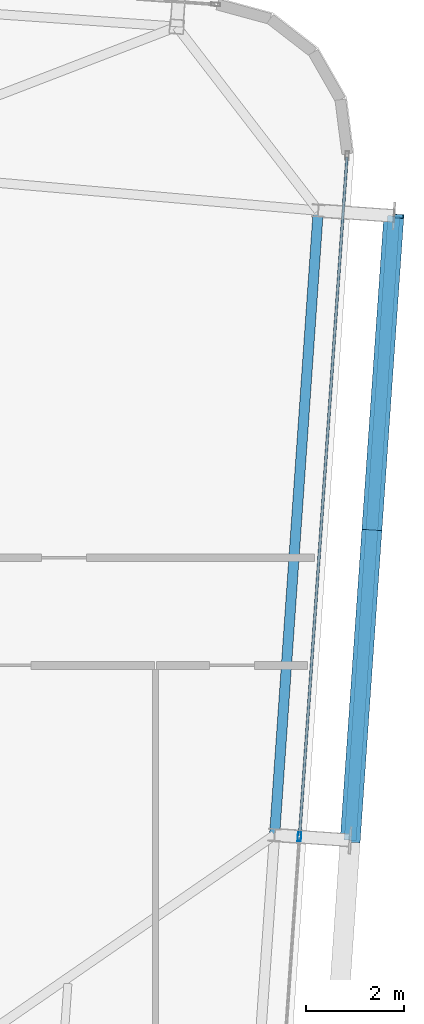
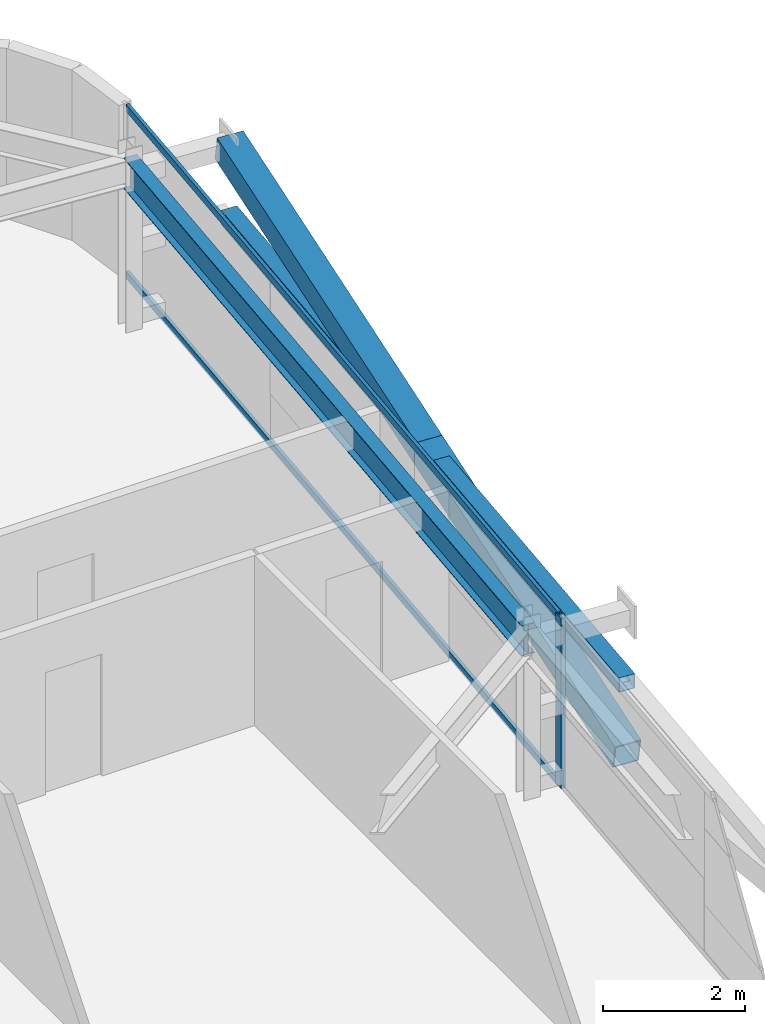
# One storey, part 17 of 39: 6 members, 1 beam, 1 element without a shape of its own.
"""IFC4 building model written with IfcOpenShell, lengths in metres."""

import ifcopenshell
import ifcopenshell.guid

model = None  # the IFC model being written
_history = None  # IfcOwnerHistory: only IFC2X3 demands one
_inside = {}  # id of a spatial element -> (the spatial element, [elements in it])
_under = {}  # id of a project, library or spatial element -> (it, [spatial elements below it])
_declared = {}  # id of a project -> (the project, [libraries it declares])
_typed = {}  # id of a type object -> (the type object, [elements of that type])
_made_of = {}  # id of a material, layer set ... -> (it, [elements and type objects made of it])


def new_model(schema):
    """Start an empty IFC model of exactly this schema.

    Asked for "IFC4X3", IfcOpenShell would pick the latest addendum, in which some entities
    have other attributes; the version numbers below select the first issue.
    IFC2X3 requires an IfcOwnerHistory on every rooted entity: one is made here for all.
    """
    global model, _history
    if schema == "IFC4X3":
        model = ifcopenshell.file(schema_version=(4, 3, 0, 0))
    else:
        model = ifcopenshell.file(schema=schema)
    _inside.clear()
    _under.clear()
    _declared.clear()
    _typed.clear()
    _made_of.clear()
    _history = None
    if model.schema == "IFC2X3":
        org = make("IfcOrganization", Name="unknown")
        user = make(
            "IfcPersonAndOrganization",
            ThePerson=make("IfcPerson", FamilyName="unknown"),
            TheOrganization=org,
        )
        app = make(
            "IfcApplication",
            ApplicationDeveloper=org,
            Version="unknown",
            ApplicationFullName="unknown",
            ApplicationIdentifier="unknown",
        )
        _history = make(
            "IfcOwnerHistory",
            OwningUser=user,
            OwningApplication=app,
            ChangeAction="ADDED",
            CreationDate=0,
        )
    return model


def make(cls, **values):
    """One entity of the class cls with the attributes given. An attribute that is None is left unset."""
    return model.create_entity(
        cls, **{name: value for name, value in values.items() if value is not None}
    )


def rooted(cls, **values):
    """An entity with a GlobalId (a new one), such as an element, a storey or a relation."""
    return make(cls, GlobalId=ifcopenshell.guid.new(), OwnerHistory=_history, **values)


def si_unit(unit_type, name, prefix=None):
    """IfcSIUnit, for example si_unit("LENGTHUNIT", "METRE", prefix="MILLI")."""
    return make("IfcSIUnit", UnitType=unit_type, Prefix=prefix, Name=name)


def assignment(units):
    """IfcUnitAssignment: the units of a project."""
    return None if units is None else make("IfcUnitAssignment", Units=units)


def point(xyz):
    """IfcCartesianPoint."""
    return None if xyz is None else make("IfcCartesianPoint", Coordinates=xyz)


def direction(xyz):
    """IfcDirection."""
    return None if xyz is None else make("IfcDirection", DirectionRatios=xyz)


def frame(location, z_axis=None, x_axis=None):
    """IfcAxis2Placement3D, a coordinate frame: its origin and axes. An axis left out is left unset."""
    return make(
        "IfcAxis2Placement3D",
        Location=point(location),
        Axis=direction(z_axis),
        RefDirection=direction(x_axis),
    )


def frame_2d(location, x_axis=None):
    """IfcAxis2Placement2D, a coordinate frame in the plane: its origin and x axis."""
    return make(
        "IfcAxis2Placement2D", Location=point(location), RefDirection=direction(x_axis)
    )


def origin():
    """The frame at (0, 0, 0) with its axes left unset."""
    return frame((0.0, 0.0, 0.0))


def origin_2d():
    """The frame at (0, 0) in the plane with its x axis left unset."""
    return frame_2d((0.0, 0.0))


def place(relative_to, where):
    """IfcLocalPlacement: puts the frame where relative to a parent placement (None: the world)."""
    return make(
        "IfcLocalPlacement", PlacementRelTo=relative_to, RelativePlacement=where
    )


def context(
    kind, dimensions, precision=None, world=None, true_north=None, identifier=None
):
    """IfcGeometricRepresentationContext, for example the 3D "Model" context."""
    return make(
        "IfcGeometricRepresentationContext",
        ContextIdentifier=identifier,
        ContextType=kind,
        CoordinateSpaceDimension=dimensions,
        Precision=precision,
        WorldCoordinateSystem=world,
        TrueNorth=true_north,
    )


def subcontext(parent, identifier, kind, view, scale=None):
    """IfcGeometricRepresentationSubContext, for example "Body" below "Model"."""
    return make(
        "IfcGeometricRepresentationSubContext",
        ContextIdentifier=identifier,
        ContextType=kind,
        ParentContext=parent,
        TargetScale=scale,
        TargetView=view,
    )


def project(units=None, contexts=None):
    """IfcProject with its units and contexts."""
    return rooted(
        "IfcProject",
        Name="project",
        RepresentationContexts=contexts,
        UnitsInContext=assignment(units),
    )


def spatial(cls, under=None, at=None, **own):
    """A site, building, storey or space (cls), placed at a placement, below another one or the project."""
    s = rooted(cls, ObjectPlacement=at, **own)
    if under is not None:
        _under.setdefault(under.id(), (under, []))[1].append(s)
    return s


def profile(cls, at=None, kind="AREA", **sizes):
    """A parametric profile (cls). Its sizes go by their IFC names, for example OverallWidth=200.0."""
    return make(cls, ProfileType=kind, Position=at, **sizes)


def hollow_rectangle(**sizes):
    """IfcRectangleHollowProfileDef."""
    return profile("IfcRectangleHollowProfileDef", **sizes)


def i_section(**sizes):
    """IfcIShapeProfileDef."""
    return profile("IfcIShapeProfileDef", **sizes)


def extrude(swept, where, along, depth):
    """IfcExtrudedAreaSolid: the profile swept, set in the frame where, extruded along a direction by depth."""
    return make(
        "IfcExtrudedAreaSolid",
        SweptArea=swept,
        Position=where,
        ExtrudedDirection=direction(along),
        Depth=depth,
    )


def shape(context_of_items, identifier, shape_type, items):
    """IfcShapeRepresentation: the items that make up one representation, for example the "Body"."""
    return make(
        "IfcShapeRepresentation",
        ContextOfItems=context_of_items,
        RepresentationIdentifier=identifier,
        RepresentationType=shape_type,
        Items=items,
    )


def source(mapping_origin, context_of_items, identifier, shape_type, items):
    """IfcRepresentationMap: a shape defined once, which mapped items show again and again."""
    return make(
        "IfcRepresentationMap",
        MappingOrigin=mapping_origin,
        MappedRepresentation=shape(context_of_items, identifier, shape_type, items),
    )


def transform(
    local_origin,
    x_axis=None,
    y_axis=None,
    z_axis=None,
    scale=None,
    scale2=None,
    scale3=None,
    uniform=True,
):
    """IfcCartesianTransformationOperator3D, or its non-uniform kind. x_axis, y_axis, z_axis: its Axis1, 2, 3."""
    if uniform:
        return make(
            "IfcCartesianTransformationOperator3D",
            Axis1=direction(x_axis),
            Axis2=direction(y_axis),
            LocalOrigin=point(local_origin),
            Scale=scale,
            Axis3=direction(z_axis),
        )
    return make(
        "IfcCartesianTransformationOperator3DnonUniform",
        Axis1=direction(x_axis),
        Axis2=direction(y_axis),
        LocalOrigin=point(local_origin),
        Scale=scale,
        Axis3=direction(z_axis),
        Scale2=scale2,
        Scale3=scale3,
    )


def mapped(mapping_source, mapping_target):
    """IfcMappedItem: shows the shape of a source again, moved by a transform."""
    return make(
        "IfcMappedItem", MappingSource=mapping_source, MappingTarget=mapping_target
    )


def material(Name=None, Category=None):
    """IfcMaterial."""
    return make("IfcMaterial", Name=Name, Category=Category)


def layer(
    of_material, thickness, ventilated=None, Name=None, Category=None, Priority=None
):
    """IfcMaterialLayer: one layer of a wall or slab, of a material (None: an air gap)."""
    return make(
        "IfcMaterialLayer",
        Material=of_material,
        LayerThickness=thickness,
        IsVentilated=ventilated,
        Name=Name,
        Category=Category,
        Priority=Priority,
    )


def layer_set(layers, Name=None):
    """IfcMaterialLayerSet."""
    return make("IfcMaterialLayerSet", MaterialLayers=layers, LayerSetName=Name)


def material_profile(
    of_material, cross_section, Name=None, Category=None, Priority=None
):
    """IfcMaterialProfile: a cross section and its material."""
    return make(
        "IfcMaterialProfile",
        Name=Name,
        Material=of_material,
        Profile=cross_section,
        Priority=Priority,
        Category=Category,
    )


def profile_set(profiles, Name=None, composite=None):
    """IfcMaterialProfileSet."""
    return make(
        "IfcMaterialProfileSet",
        Name=Name,
        MaterialProfiles=profiles,
        CompositeProfile=composite,
    )


def made_of(thing, what):
    """Note that an element or type object is made of a material, layer set ...; save() writes the relation."""
    if what is not None:
        _made_of.setdefault(what.id(), (what, []))[1].append(thing)
    return thing


def type_object(cls, material=None, **own):
    """A type object (cls), such as IfcWallType, which elements share."""
    return made_of(rooted(cls, **own), material)


def element(
    cls,
    number,
    at=None,
    inside=None,
    cuts=None,
    type_object=None,
    material=None,
    context=None,
    identifier="Body",
    shape_type=None,
    held_by="IfcProductDefinitionShape",
    body=None,
    shapes=None,
    **own,
):
    """One element of the class cls, such as IfcWall. Its Tag is "e" and its number.

    at: its placement. inside: the storey or other place that contains it. cuts: it is an
    opening in that element (IfcRelVoidsElement). A single representation is given by context,
    identifier, shape_type and body (its items); several are given by shapes. held_by: the class
    of the entity that holds the representations. save() writes the other relations.
    """
    e = rooted(cls, Tag="e%d" % number, ObjectPlacement=at, **own)
    if body is not None:
        shapes = [shape(context, identifier, shape_type, body)]
    if shapes is not None:
        e.Representation = make(held_by, Representations=shapes)
    if inside is not None:
        _inside.setdefault(inside.id(), (inside, []))[1].append(e)
    if cuts is not None:
        rooted(
            "IfcRelVoidsElement", RelatingBuildingElement=cuts, RelatedOpeningElement=e
        )
    if type_object is not None:
        _typed.setdefault(type_object.id(), (type_object, []))[1].append(e)
    return made_of(e, material)


def aggregate(whole, parts):
    """IfcRelAggregates: a whole, such as a stair, and the parts it consists of."""
    return rooted("IfcRelAggregates", RelatingObject=whole, RelatedObjects=parts)


def save(model, path):
    """Write the relations noted so far, then the file.

    IfcRelAggregates (storeys below a building ...), IfcRelContainedInSpatialStructure (elements
    in a storey), IfcRelDefinesByType, IfcRelAssociatesMaterial and IfcRelDeclares: one each for
    every whole, place, type object, material and project.
    """
    for whole, parts in _under.values():
        aggregate(whole, parts)
    for where, things in _inside.values():
        rooted(
            "IfcRelContainedInSpatialStructure",
            RelatedElements=things,
            RelatingStructure=where,
        )
    for kind, things in _typed.values():
        rooted("IfcRelDefinesByType", RelatedObjects=things, RelatingType=kind)
    for what, things in _made_of.values():
        rooted("IfcRelAssociatesMaterial", RelatedObjects=things, RelatingMaterial=what)
    for by, libraries in _declared.values():
        rooted("IfcRelDeclares", RelatingContext=by, RelatedDefinitions=libraries)
    model.write(path)


model = new_model("IFC4")

# Units and contexts
model_context = context("Model", 3, precision=1e-05, world=origin(), true_north=direction((0.0, 1.0)))
body_context = subcontext(model_context, "Body", "Model", "MODEL_VIEW")
ifc_project = project(units=[si_unit("LENGTHUNIT", "METRE"), si_unit("AREAUNIT", "SQUARE_METRE"), si_unit("VOLUMEUNIT", "CUBIC_METRE"), si_unit("PLANEANGLEUNIT", "RADIAN"), si_unit("MASSUNIT", "GRAM", prefix="KILO")], contexts=[model_context])

# Site, building, storey
site_placement = place(None, origin())
site = spatial("IfcSite", under=ifc_project, at=site_placement, CompositionType="ELEMENT")
building_placement = place(site_placement, origin())
building = spatial("IfcBuilding", under=site, at=building_placement, Name="Taldren Reach Tower", CompositionType="ELEMENT")
storey_placement = place(building_placement, frame((0.0, 0.0, 123.550048828125)))
storey = spatial("IfcBuildingStorey", under=building, at=storey_placement, Name="L37", CompositionType="ELEMENT", Elevation=123.550048828125)

# Beam
ifc_material_1 = material(Name="Steel Gr 350 (350PLUS)", Category="steel")
ifc_material_profile_1 = material_profile(ifc_material_1, i_section(OverallWidth=0.208984375, OverallDepth=0.528076171875, WebThickness=0.009521484375, FlangeThickness=0.01318359375, at=origin_2d()), Name="530UB82.0")
ifc_profile_set_1 = profile_set([ifc_material_profile_1], Name="Steel Gr 350 (350PLUS)")
beam_type = type_object("IfcBeamType", Name="SP-UB530B", PredefinedType="SPANDREL", material=ifc_profile_set_1)
shared_shape_1 = source(origin(), body_context, "Body", "SweptSolid", [
    extrude(i_section(OverallWidth=0.208984375, OverallDepth=0.528076171875, WebThickness=0.009521484375, FlangeThickness=0.01318359375, at=origin_2d()), origin(), (0.0, 0.0, 1.0), 12.800048828125),
])
beam_placement = place(storey_placement, frame((60.438232421875, 18.331787109375, 2.666015625), z_axis=(0.069751876777, 0.9975643717, 0.0), x_axis=(-0.9975643717, 0.069751876777, 0.0)))
element("IfcBeam", 1, at=beam_placement, inside=storey, type_object=beam_type, Name="Perimeter spandrel B3 E2-E3 L37", PredefinedType="SPANDREL", context=body_context, shape_type="MappedRepresentation", body=[
    mapped(shared_shape_1, transform((0.0, 0.0, 0.0), scale=1.0)),
])

# Members
ifc_material_2 = material(Name="Steel Gr 350 (C350L0)", Category="steel")
ifc_material_profile_2 = material_profile(ifc_material_2, hollow_rectangle(XDim=0.25, YDim=0.25, WallThickness=0.010009765625, at=origin_2d()), Name="250x250x10.0SHS")
ifc_profile_set_2 = profile_set([ifc_material_profile_2], Name="Steel Gr 350 (C350L0)")
member_type_1 = type_object("IfcMemberType", Name="MB-POST250", PredefinedType="POST", material=ifc_profile_set_2)
shared_shape_2 = source(origin(), body_context, "Body", "SweptSolid", [
    extrude(hollow_rectangle(XDim=0.25, YDim=0.25, WallThickness=0.010009765625, at=origin_2d()), origin(), (0.0, 0.0, 1.0), 12.800048828125),
])
member_1_placement = place(storey_placement, frame((61.984375, 18.2236328125, 1.43505859375), z_axis=(0.069770857464, 0.997563044348, 0.0), x_axis=(-0.997563044348, 0.069770857464, 0.0)))
element("IfcMember", 2, at=member_1_placement, inside=storey, type_object=member_type_1, Name="Exoskeleton mid-height ring chord B3-E2 L37", PredefinedType="POST", context=body_context, shape_type="MappedRepresentation", body=[
    mapped(shared_shape_2, transform((0.0, 0.0, 0.0), scale=1.0)),
])
ifc_material_3 = material(Name="Steel Gr 450 (C450L0)", Category="steel")
ifc_material_profile_3 = material_profile(ifc_material_3, hollow_rectangle(XDim=0.409912109375, YDim=0.409912109375, WallThickness=0.01611328125, at=origin_2d()), Name="410x410x16.0SHS")
ifc_profile_set_3 = profile_set([ifc_material_profile_3], Name="Steel Gr 450 (C450L0)")
member_type_2 = type_object("IfcMemberType", Name="MB-EXO406", PredefinedType="BRACE", material=ifc_profile_set_3)
shared_shape_3 = source(origin(), body_context, "Body", "SweptSolid", [
    extrude(hollow_rectangle(XDim=0.409912109375, YDim=0.409912109375, WallThickness=0.01611328125, at=origin_2d()), origin(), (0.0, 0.0, 1.0), 6.514404296875),
])
member_2_placement = place(storey_placement, frame((62.430908203125, 24.60791015625, 1.43505859375), z_axis=(0.068545605936, 0.980063499638, 0.186486022492), x_axis=(-0.997563137195, 0.069769529958, 0.0)))
element("IfcMember", 3, at=member_2_placement, inside=storey, type_object=member_type_2, Name="Exoskeleton Diagrid Brace B3-E2 L37", PredefinedType="BRACE", context=body_context, shape_type="MappedRepresentation", body=[
    mapped(shared_shape_3, transform((0.0, 0.0, 0.0), scale=1.0)),
])
shared_shape_4 = source(origin(), body_context, "Body", "SweptSolid", [
    extrude(hollow_rectangle(XDim=0.409912109375, YDim=0.409912109375, WallThickness=0.01611328125, at=origin_2d()), origin(), (0.0, 0.0, 1.0), 6.51416015625),
])
member_3_placement = place(storey_placement, frame((61.984375, 18.2236328125, 0.219970703125), z_axis=(0.068547644544, 0.980055169399, 0.186529046964), x_axis=(-0.997562951496, 0.069772185021, 0.0)))
element("IfcMember", 4, at=member_3_placement, inside=storey, type_object=member_type_2, Name="Exoskeleton Diagrid Brace B3-E2 L37", PredefinedType="BRACE", context=body_context, shape_type="MappedRepresentation", body=[
    mapped(shared_shape_4, transform((0.0, 0.0, 0.0), scale=1.0)),
])

# Curtain wall, members
ifc_material_4 = material(Name="Aluminium and Low-E Glass Unitised System", Category="aluminium")
ifc_layer = layer(ifc_material_4, 0.159912109375)
ifc_layer_set = layer_set([ifc_layer], Name="Aluminium and Low-E Glass Unitised System")
curtain_wall_type = type_object("IfcCurtainWallType", Name="CW-SYS-4", PredefinedType="NOTDEFINED", material=ifc_layer_set)
curtain_wall_placement = place(storey_placement, origin())
curtain_wall = element("IfcCurtainWall", 5, at=curtain_wall_placement, inside=storey, type_object=curtain_wall_type, Name="Unitised curtain wall CW-L37-E", PredefinedType="NOTDEFINED")
ifc_material_5 = material(Name="Anodised Aluminium 6063-T6", Category="aluminium")
ifc_material_profile_4 = material_profile(ifc_material_5, hollow_rectangle(XDim=0.054931640625, YDim=0.1201171875, WallThickness=0.0029296875, at=origin_2d()), Name="ALU-120x55x3RHS")
ifc_profile_set_4 = profile_set([ifc_material_profile_4], Name="Anodised Aluminium 6063-T6")
member_type_3 = type_object("IfcMemberType", Name="CW-TRN-135", PredefinedType="USERDEFINED", material=ifc_profile_set_4)
shared_shape_5 = source(origin(), body_context, "Body", "SweptSolid", [
    extrude(hollow_rectangle(XDim=0.054931640625, YDim=0.1201171875, WallThickness=0.0029296875, at=origin_2d()), origin(), (0.0, 0.0, 1.0), 13.89501953125),
])
member_4_placement = place(storey_placement, frame((60.949462890625, 18.3310546875, 0.02734375), z_axis=(0.069754817075, 0.997564166104, 0.0), x_axis=(-0.997564166104, 0.069754817075, 0.0)))
member_4 = element("IfcMember", 6, at=member_4_placement, type_object=member_type_3, Name="CW-4 transom 2.1", ObjectType="TRANSOM", PredefinedType="USERDEFINED", context=body_context, shape_type="MappedRepresentation", body=[
    mapped(shared_shape_5, transform((0.0, 0.0, 0.0), scale=1.0)),
])
member_5_placement = place(storey_placement, frame((60.949462890625, 18.3310546875, 2.90234375), z_axis=(0.069754817075, 0.997564166104, 0.0), x_axis=(-0.997564166104, 0.069754817075, 0.0)))
member_5 = element("IfcMember", 7, at=member_5_placement, type_object=member_type_3, Name="CW-4 transom 2.2", ObjectType="TRANSOM", PredefinedType="USERDEFINED", context=body_context, shape_type="MappedRepresentation", body=[
    mapped(shared_shape_5, transform((0.0, 0.0, 0.0), scale=1.0)),
])
ifc_material_profile_5 = material_profile(ifc_material_5, hollow_rectangle(XDim=0.070068359375, YDim=0.179931640625, WallThickness=0.00390625, at=origin_2d()), Name="ALU-180x70x4RHS")
ifc_profile_set_5 = profile_set([ifc_material_profile_5], Name="Anodised Aluminium 6063-T6")
member_type_4 = type_object("IfcMemberType", Name="CW-MUL-180", PredefinedType="MULLION", material=ifc_profile_set_5)
shared_shape_6 = source(origin(), body_context, "Body", "SweptSolid", [
    extrude(hollow_rectangle(XDim=0.070068359375, YDim=0.179931640625, WallThickness=0.00390625, at=origin_2d()), origin(), (0.0, 0.0, 1.0), 2.929931640625),
])
member_6_placement = place(storey_placement, frame((60.947021484375, 18.296142578125, 0.0), z_axis=(0.0, 0.0, 1.0), x_axis=(-0.997564052812, 0.069756437251, 0.0)))
member_6 = element("IfcMember", 8, at=member_6_placement, type_object=member_type_4, Name="CW-4 mullion 2", PredefinedType="MULLION", context=body_context, shape_type="MappedRepresentation", body=[
    mapped(shared_shape_6, transform((0.0, 0.0, 0.0), scale=1.0)),
])
aggregate(curtain_wall, [member_6, member_4, member_5])

save(model, "model.ifc")
